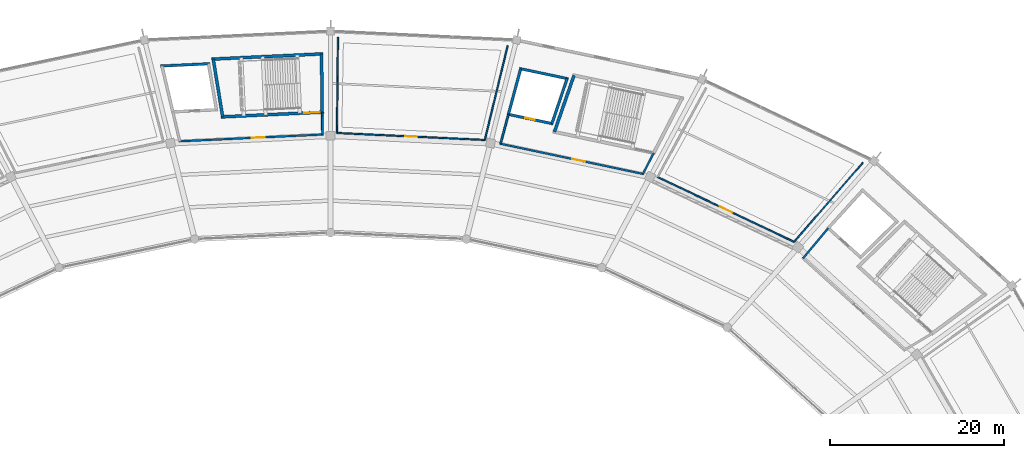
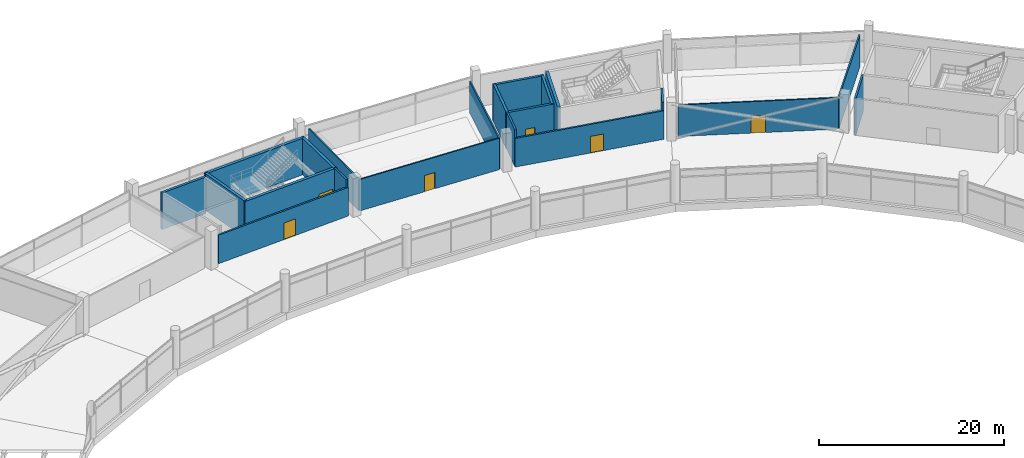
# One storey, part 151 of 184: 21 walls, 6 doors, 6 openings.
"""IFC4 building model written with IfcOpenShell, lengths in metres."""

from ifc_helpers import new_model, si_unit, direction, frame, frame_2d, origin, place, context, subcontext, project, spatial, rectangle, extrude, material, layer, layer_set, type_object, element, fill, save


model = new_model("IFC4")

# Units and contexts
model_context = context("Model", 3, precision=1e-05, world=origin(), true_north=direction((0.0, 1.0)))
body_context = subcontext(model_context, "Body", "Model", "MODEL_VIEW")
ifc_project = project(units=[si_unit("LENGTHUNIT", "METRE"), si_unit("AREAUNIT", "SQUARE_METRE"), si_unit("VOLUMEUNIT", "CUBIC_METRE"), si_unit("PLANEANGLEUNIT", "RADIAN"), si_unit("MASSUNIT", "GRAM", prefix="KILO")], contexts=[model_context])

# Site, building, storey
site_placement = place(None, origin())
site = spatial("IfcSite", under=ifc_project, at=site_placement, CompositionType="ELEMENT")
building_placement = place(site_placement, origin())
building = spatial("IfcBuilding", under=site, at=building_placement, Name="Kazemori Nagisa Stadium", CompositionType="ELEMENT")
storey_placement = place(building_placement, frame((0.0, 0.0, 10.5400390625)))
storey = spatial("IfcBuildingStorey", under=building, at=storey_placement, Name="L02", CompositionType="ELEMENT", Elevation=10.5400390625)

# Wall
ifc_material_1 = material(Name="Concrete C40/50 (Fc42)", Category="concrete")
ifc_layer_1 = layer(ifc_material_1, 0.35009765625, Name="Concrete C40/50 (Fc42)", Category="concrete")
ifc_layer_set_1 = layer_set([ifc_layer_1], Name="Concrete C40/50 (Fc42)")
wall_type_1 = type_object("IfcWallType", Name="Wall_W-CORE-350", PredefinedType="SHEAR", material=ifc_layer_set_1)
wall_1_placement = place(storey_placement, frame((148.787353515625, 176.396240234375, 0.0), z_axis=(0.0, 0.0, 1.0), x_axis=(0.327491724385, 0.944854047173, 0.0)))
element("IfcWall", 1, at=wall_1_placement, inside=storey, type_object=wall_type_1, Name="Core stair right shear wall ST11 L02", PredefinedType="SHEAR", context=body_context, shape_type="SweptSolid", body=[
    extrude(rectangle(XDim=6.88525390625, YDim=0.35009765625, at=frame_2d((3.442626953125, 0.0))), origin(), (0.0, 0.0, 1.0), 4.83984375),
])

# Wall, opening, door
wall_2_placement = place(storey_placement, frame((122.218994140625, 178.675048828125, 0.0), z_axis=(0.0, 0.0, 1.0), x_axis=(-0.998883770468, -0.04723571843, 0.0)))
wall_2 = element("IfcWall", 2, at=wall_2_placement, inside=storey, type_object=wall_type_1, Name="Core stair front shear wall ST05 L02", PredefinedType="SHEAR", context=body_context, shape_type="SweptSolid", body=[
    extrude(rectangle(XDim=11.830810546875, YDim=0.35009765625, at=frame_2d((5.91552734375, 0.0))), origin(), (0.0, 0.0, 1.0), 4.83984375),
])
opening_1_placement = place(wall_2_placement, frame((0.47509765625, 0.0, 0.0)))
opening_1 = element("IfcOpeningElement", 3, at=opening_1_placement, cuts=wall_2, Name="Opening D-ST-1800", PredefinedType="OPENING", context=body_context, shape_type="SweptSolid", body=[
    extrude(rectangle(XDim=1.800048828125, YDim=2.199951171875, at=frame_2d((0.89990234375, 1.10009765625))), frame((0.0, 0.18505859375, 0.0), z_axis=(0.0, -1.0, 0.0), x_axis=(1.0, 0.0, 0.0)), (0.0, 0.0, 1.0), 0.3701171875),
])
ifc_material_2 = material(Name="Galvanised steel sheet", Category="steel")
door_type_1 = type_object("IfcDoorType", Name="Door_D-ST-1800", OperationType="NOTDEFINED", PredefinedType="DOOR", material=ifc_material_2)
door_1_placement = place(opening_1_placement, frame((1.800048828125, 0.0, 0.0), z_axis=(0.0, 0.0, 1.0), x_axis=(-1.0, 0.0, 0.0)))
door_1 = element("IfcDoor", 4, at=door_1_placement, inside=storey, type_object=door_type_1, Name="Exit stair fire door ST05-L02", OperationType="SINGLE_SWING_LEFT", OverallHeight=2.199951171875, OverallWidth=1.800048828125, PredefinedType="DOOR", context=body_context, shape_type="SweptSolid", body=[
    extrude(rectangle(XDim=1.800048828125, YDim=2.199951171875, at=frame_2d((0.89990234375, 1.10009765625))), frame((0.0, 0.02490234375, 0.0), z_axis=(0.0, -1.0, 0.0), x_axis=(1.0, 0.0, 0.0)), (0.0, 0.0, 1.0), 0.050048828125),
])
fill(opening_1, door_1)

# Walls
wall_3_placement = place(storey_placement, frame((122.135498046875, 185.379150390625, 0.0), z_axis=(0.0, 0.0, 1.0), x_axis=(-0.998884004857, -0.047230761603, 0.0)))
element("IfcWall", 5, at=wall_3_placement, inside=storey, type_object=wall_type_1, Name="Core stair rear shear wall ST05 L02", PredefinedType="SHEAR", context=body_context, shape_type="SweptSolid", body=[
    extrude(rectangle(XDim=12.8349609375, YDim=0.35009765625, at=frame_2d((6.41748046875, 0.0))), origin(), (0.0, 0.0, 1.0), 4.83984375),
])
wall_4_placement = place(storey_placement, frame((122.04443359375, 178.666748046875, 0.0), z_axis=(0.0, 0.0, 1.0), x_axis=(-0.012489921532, 0.999921997888, 0.0)))
element("IfcWall", 6, at=wall_4_placement, inside=storey, type_object=wall_type_1, Name="Core stair left shear wall ST05 L02", PredefinedType="SHEAR", context=body_context, shape_type="SweptSolid", body=[
    extrude(rectangle(XDim=6.70458984375, YDim=0.35009765625, at=frame_2d((3.352294921875, 0.0))), origin(), (0.0, 0.0, 1.0), 4.83984375),
])
wall_5_placement = place(storey_placement, frame((110.576171875, 178.12451171875, 0.0), z_axis=(0.0, 0.0, 1.0), x_axis=(-0.161075775241, 0.986942042184, 0.0)))
element("IfcWall", 7, at=wall_5_placement, inside=storey, type_object=wall_type_1, Name="Core stair right shear wall ST05 L02", PredefinedType="SHEAR", context=body_context, shape_type="SweptSolid", body=[
    extrude(rectangle(XDim=6.744873046875, YDim=0.35009765625, at=frame_2d((3.37255859375, 0.0))), origin(), (0.0, 0.0, 1.0), 4.83984375),
])
ifc_material_3 = material(Name="Concrete C36/45 (Fc36)", Category="concrete")
ifc_layer_2 = layer(ifc_material_3, 0.219970703125, Name="Concrete C36/45 (Fc36)", Category="concrete")
ifc_layer_set_2 = layer_set([ifc_layer_2], Name="Concrete C36/45 (Fc36)")
wall_type_2 = type_object("IfcWallType", Name="Wall_W-LOBBY-220", PredefinedType="SOLIDWALL", material=ifc_layer_set_2)
wall_6_placement = place(storey_placement, frame((177.408935546875, 161.823974609375, 0.0), z_axis=(0.0, 0.0, 1.0), x_axis=(0.640759627034, 0.767741558315, 0.0)))
element("IfcWall", 8, at=wall_6_placement, inside=storey, type_object=wall_type_2, Name="Core lobby right wall ST01 L02", PredefinedType="SOLIDWALL", context=body_context, shape_type="SweptSolid", body=[
    extrude(rectangle(XDim=4.549072265625, YDim=0.219970703125, at=frame_2d((2.2744140625, 0.0))), origin(), (0.0, 0.0, 1.0), 4.83984375),
])

# Wall, opening, door
wall_7_placement = place(storey_placement, frame((159.083984375, 171.5322265625, 0.0), z_axis=(0.0, 0.0, 1.0), x_axis=(-0.978342313718, 0.206993519678, 0.0)))
wall_7 = element("IfcWall", 9, at=wall_7_placement, inside=storey, type_object=wall_type_2, Name="Core lobby fire wall ST11 L02", PredefinedType="SOLIDWALL", context=body_context, shape_type="SweptSolid", body=[
    extrude(rectangle(XDim=16.983154296875, YDim=0.219970703125, at=frame_2d((8.49169921875, 0.0))), origin(), (0.0, 0.0, 1.0), 3.787841796875),
])
opening_2_placement = place(wall_7_placement, frame((6.903076171875, 0.0, 0.0)))
opening_2 = element("IfcOpeningElement", 10, at=opening_2_placement, cuts=wall_7, Name="Opening D-FFL-1500", PredefinedType="OPENING", context=body_context, shape_type="SweptSolid", body=[
    extrude(rectangle(XDim=1.5, YDim=2.199951171875, at=frame_2d((0.75, 1.10009765625))), frame((0.0, 0.119873046875, 0.0), z_axis=(0.0, -1.0, 0.0), x_axis=(1.0, 0.0, 0.0)), (0.0, 0.0, 1.0), 0.239990234375),
])
door_type_2 = type_object("IfcDoorType", Name="Door_D-FFL-1500", OperationType="NOTDEFINED", PredefinedType="DOOR", material=ifc_material_2)
door_2_placement = place(opening_2_placement, frame((1.5, 0.0, 0.0), z_axis=(0.0, 0.0, 1.0), x_axis=(-1.0, 0.0, 0.0)))
door_2 = element("IfcDoor", 11, at=door_2_placement, inside=storey, type_object=door_type_2, Name="Protected lobby fire door ST11-L02", OperationType="DOUBLE_DOOR_SINGLE_SWING", OverallHeight=2.199951171875, OverallWidth=1.5, PredefinedType="DOOR", context=body_context, shape_type="SweptSolid", body=[
    extrude(rectangle(XDim=1.5, YDim=2.199951171875, at=frame_2d((0.75, 1.10009765625))), frame((0.0, 0.02490234375, 0.0), z_axis=(0.0, -1.0, 0.0), x_axis=(1.0, 0.0, 0.0)), (0.0, 0.0, 1.0), 0.050048828125),
])
fill(opening_2, door_2)

# Walls
wall_8_placement = place(storey_placement, frame((158.976318359375, 171.55517578125, 0.0), z_axis=(0.0, 0.0, 1.0), x_axis=(0.459461910618, 0.888197473928, 0.0)))
element("IfcWall", 12, at=wall_8_placement, inside=storey, type_object=wall_type_2, Name="Core lobby left wall ST11 L02", PredefinedType="SOLIDWALL", context=body_context, shape_type="SweptSolid", body=[
    extrude(rectangle(XDim=2.725341796875, YDim=0.219970703125, at=frame_2d((1.36279296875, 0.0))), origin(), (0.0, 0.0, 1.0), 4.83984375),
])
wall_9_placement = place(storey_placement, frame((142.576171875, 175.024658203125, 0.0), z_axis=(0.0, 0.0, 1.0), x_axis=(0.258940146037, 0.965893369255, 0.0)))
element("IfcWall", 13, at=wall_9_placement, inside=storey, type_object=wall_type_2, Name="Core lobby right wall ST11 L02", PredefinedType="SOLIDWALL", context=body_context, shape_type="SweptSolid", body=[
    extrude(rectangle(XDim=3.50830078125, YDim=0.219970703125, at=frame_2d((1.754150390625, 0.0))), origin(), (0.0, 0.0, 1.0), 4.83984375),
])

# Wall, opening, door
wall_10_placement = place(storey_placement, frame((122.186279296875, 176.093505859375, 0.0), z_axis=(0.0, 0.0, 1.0), x_axis=(-0.998884242682, -0.047225731555, 0.0)))
wall_10 = element("IfcWall", 14, at=wall_10_placement, inside=storey, type_object=wall_type_2, Name="Core lobby fire wall ST05 L02", PredefinedType="SOLIDWALL", context=body_context, shape_type="SweptSolid", body=[
    extrude(rectangle(XDim=16.67724609375, YDim=0.219970703125, at=frame_2d((8.338623046875, 0.0))), origin(), (0.0, 0.0, 1.0), 3.787841796875),
])
opening_3_placement = place(wall_10_placement, frame((6.76611328125, 0.0, 0.0)))
opening_3 = element("IfcOpeningElement", 15, at=opening_3_placement, cuts=wall_10, Name="Opening D-FFL-1500", PredefinedType="OPENING", context=body_context, shape_type="SweptSolid", body=[
    extrude(rectangle(XDim=1.5, YDim=2.199951171875, at=frame_2d((0.75, 1.10009765625))), frame((0.0, 0.119873046875, 0.0), z_axis=(0.0, -1.0, 0.0), x_axis=(1.0, 0.0, 0.0)), (0.0, 0.0, 1.0), 0.239990234375),
])
door_3_placement = place(opening_3_placement, frame((1.5, 0.0, 0.0), z_axis=(0.0, 0.0, 1.0), x_axis=(-1.0, 0.0, 0.0)))
door_3 = element("IfcDoor", 16, at=door_3_placement, inside=storey, type_object=door_type_2, Name="Protected lobby fire door ST05-L02", OperationType="DOUBLE_DOOR_SINGLE_SWING", OverallHeight=2.199951171875, OverallWidth=1.5, PredefinedType="DOOR", context=body_context, shape_type="SweptSolid", body=[
    extrude(rectangle(XDim=1.5, YDim=2.199951171875, at=frame_2d((0.75, 1.10009765625))), frame((0.0, 0.02490234375, 0.0), z_axis=(0.0, -1.0, 0.0), x_axis=(1.0, 0.0, 0.0)), (0.0, 0.0, 1.0), 0.050048828125),
])
fill(opening_3, door_3)

# Wall
wall_11_placement = place(storey_placement, frame((122.076416015625, 176.08837890625, 0.0), z_axis=(0.0, 0.0, 1.0), x_axis=(-0.012403174243, 0.999923077676, 0.0)))
element("IfcWall", 17, at=wall_11_placement, inside=storey, type_object=wall_type_2, Name="Core lobby left wall ST05 L02", PredefinedType="SOLIDWALL", context=body_context, shape_type="SweptSolid", body=[
    extrude(rectangle(XDim=2.57861328125, YDim=0.219970703125, at=frame_2d((1.289306640625, 0.0))), origin(), (0.0, 0.0, 1.0), 4.83984375),
])

# Wall, opening, door
ifc_material_4 = material(Name="Gypsum plasterboard", Category="gypsum")
ifc_layer_3 = layer(ifc_material_4, 0.1650390625, Name="Gypsum plasterboard", Category="gypsum")
ifc_layer_set_3 = layer_set([ifc_layer_3], Name="Gypsum plasterboard")
wall_type_3 = type_object("IfcWallType", Name="Wall_W-PART-165", PredefinedType="PARTITIONING", material=ifc_layer_set_3)
wall_12_placement = place(storey_placement, frame((176.400634765625, 163.719970703125, 0.0), z_axis=(0.0, 0.0, 1.0), x_axis=(-0.903217202186, 0.429183743488, 0.0)))
wall_12 = element("IfcWall", 18, at=wall_12_placement, inside=storey, type_object=wall_type_3, Name="Room corridor partition L02-B05", PredefinedType="PARTITIONING", context=body_context, shape_type="SweptSolid", body=[
    extrude(rectangle(XDim=17.419189453125, YDim=0.1650390625, at=frame_2d((8.70947265625, 0.0))), origin(), (0.0, 0.0, 1.0), 4.159912109375),
])
opening_4_placement = place(wall_12_placement, frame((7.909912109375, 0.0, 0.0)))
opening_4 = element("IfcOpeningElement", 19, at=opening_4_placement, cuts=wall_12, Name="Opening D-LNG-1600", PredefinedType="OPENING", context=body_context, shape_type="SweptSolid", body=[
    extrude(rectangle(XDim=1.60009765625, YDim=2.300048828125, at=frame_2d((0.800048828125, 1.14990234375))), frame((0.0, 0.092529296875, 0.0), z_axis=(0.0, -1.0, 0.0), x_axis=(1.0, 0.0, 0.0)), (0.0, 0.0, 1.0), 0.18505859375),
])
ifc_material_5 = material(Name="Anodised aluminium 6063-T5", Category="aluminium")
door_type_3 = type_object("IfcDoorType", Name="Door_D-LNG-1600", OperationType="NOTDEFINED", PredefinedType="DOOR", material=ifc_material_5)
door_4_placement = place(opening_4_placement, origin())
door_4 = element("IfcDoor", 20, at=door_4_placement, inside=storey, type_object=door_type_3, Name="Room entrance door D-LNG-1600 L02-B05", OperationType="DOUBLE_DOOR_SINGLE_SWING", OverallHeight=2.300048828125, OverallWidth=1.60009765625, PredefinedType="DOOR", context=body_context, shape_type="SweptSolid", body=[
    extrude(rectangle(XDim=1.60009765625, YDim=2.300048828125, at=frame_2d((0.800048828125, 1.14990234375))), frame((0.0, 0.02490234375, 0.0), z_axis=(0.0, -1.0, 0.0), x_axis=(1.0, 0.0, 0.0)), (0.0, 0.0, 1.0), 0.050048828125),
])
fill(opening_4, door_4)

# Wall
wall_13_placement = place(storey_placement, frame((176.400634765625, 163.719970703125, 0.0), z_axis=(0.0, 0.0, 1.0), x_axis=(0.654293035882, 0.756241114458, 0.0)))
element("IfcWall", 21, at=wall_13_placement, inside=storey, type_object=wall_type_3, Name="Room radial partition L02-B05-L", PredefinedType="PARTITIONING", context=body_context, shape_type="SweptSolid", body=[
    extrude(rectangle(XDim=12.091064453125, YDim=0.1650390625, at=frame_2d((6.04541015625, 0.0))), origin(), (0.0, 0.0, 1.0), 4.159912109375),
])

# Wall, opening, door
wall_14_placement = place(storey_placement, frame((140.77294921875, 175.463623046875, 0.0), z_axis=(0.0, 0.0, 1.0), x_axis=(-0.998883826153, 0.047234540851, 0.0)))
wall_14 = element("IfcWall", 22, at=wall_14_placement, inside=storey, type_object=wall_type_3, Name="Room corridor partition L02-B07", PredefinedType="PARTITIONING", context=body_context, shape_type="SweptSolid", body=[
    extrude(rectangle(XDim=17.051513671875, YDim=0.1650390625, at=frame_2d((8.52587890625, 0.0))), origin(), (0.0, 0.0, 1.0), 4.159912109375),
])
opening_5_placement = place(wall_14_placement, frame((7.8759765625, 0.0, 0.0)))
opening_5 = element("IfcOpeningElement", 23, at=opening_5_placement, cuts=wall_14, Name="Opening D-KIT-1300", PredefinedType="OPENING", context=body_context, shape_type="SweptSolid", body=[
    extrude(rectangle(XDim=1.300048828125, YDim=2.14990234375, at=frame_2d((0.64990234375, 1.074951171875))), frame((0.0, 0.092529296875, 0.0), z_axis=(0.0, -1.0, 0.0), x_axis=(1.0, 0.0, 0.0)), (0.0, 0.0, 1.0), 0.18505859375),
])
ifc_material_6 = material(Name="Stainless steel SUS304", Category="steel")
door_type_4 = type_object("IfcDoorType", Name="Door_D-KIT-1300", OperationType="NOTDEFINED", PredefinedType="DOOR", material=ifc_material_6)
door_5_placement = place(opening_5_placement, origin())
door_5 = element("IfcDoor", 24, at=door_5_placement, inside=storey, type_object=door_type_4, Name="Room entrance door D-KIT-1300 L02-B07", OperationType="SINGLE_SWING_RIGHT", OverallHeight=2.14990234375, OverallWidth=1.300048828125, PredefinedType="DOOR", context=body_context, shape_type="SweptSolid", body=[
    extrude(rectangle(XDim=1.300048828125, YDim=2.14990234375, at=frame_2d((0.64990234375, 1.074951171875))), frame((0.0, 0.02490234375, 0.0), z_axis=(0.0, -1.0, 0.0), x_axis=(1.0, 0.0, 0.0)), (0.0, 0.0, 1.0), 0.050048828125),
])
fill(opening_5, door_5)

# Walls
wall_15_placement = place(storey_placement, frame((140.77294921875, 175.463623046875, 0.0), z_axis=(0.0, 0.0, 1.0), x_axis=(0.235146333041, 0.971959979658, 0.0)))
element("IfcWall", 25, at=wall_15_placement, inside=storey, type_object=wall_type_3, Name="Room radial partition L02-B07-L", PredefinedType="PARTITIONING", context=body_context, shape_type="SweptSolid", body=[
    extrude(rectangle(XDim=11.197509765625, YDim=0.1650390625, at=frame_2d((5.5986328125, 0.0))), origin(), (0.0, 0.0, 1.0), 4.159912109375),
])
wall_16_placement = place(storey_placement, frame((123.740478515625, 176.26904296875, 0.0), z_axis=(0.0, 0.0, 1.0), x_axis=(0.00998463551, 0.999950152284, 0.0)))
element("IfcWall", 26, at=wall_16_placement, inside=storey, type_object=wall_type_3, Name="Room radial partition L02-B07-R", PredefinedType="PARTITIONING", context=body_context, shape_type="SweptSolid", body=[
    extrude(rectangle(XDim=11.003173828125, YDim=0.1650390625, at=frame_2d((5.50146484375, 0.0))), origin(), (0.0, 0.0, 1.0), 4.159912109375),
])

# Wall, opening, door
ifc_layer_4 = layer(ifc_material_1, 0.300048828125, Name="Concrete C40/50 (Fc42)", Category="concrete")
ifc_layer_set_4 = layer_set([ifc_layer_4], Name="Concrete C40/50 (Fc42)")
wall_type_4 = type_object("IfcWallType", Name="Wall_W-SHAFT-300", PredefinedType="SHEAR", material=ifc_layer_set_4)
wall_17_placement = place(storey_placement, frame((148.644775390625, 177.32177734375, 0.0), z_axis=(0.0, 0.0, 1.0), x_axis=(-0.978351630878, 0.206949477793, 0.0)))
wall_17 = element("IfcWall", 27, at=wall_17_placement, inside=storey, type_object=wall_type_4, Name="Lift shaft front wall LP3 L02", PredefinedType="SHEAR", context=body_context, shape_type="SweptSolid", body=[
    extrude(rectangle(XDim=5.42431640625, YDim=0.300048828125, at=frame_2d((2.712158203125, 0.0))), origin(), (0.0, 0.0, 1.0), 4.83984375),
])
opening_6_placement = place(wall_17_placement, frame((2.162109375, 0.0, 0.0)))
opening_6 = element("IfcOpeningElement", 28, at=opening_6_placement, cuts=wall_17, Name="Opening LD-PAX", PredefinedType="OPENING", context=body_context, shape_type="SweptSolid", body=[
    extrude(rectangle(XDim=1.10009765625, YDim=2.199951171875, at=frame_2d((0.550048828125, 1.10009765625))), frame((0.0, 0.159912109375, 0.0), z_axis=(0.0, -1.0, 0.0), x_axis=(1.0, 0.0, 0.0)), (0.0, 0.0, 1.0), 0.320068359375),
])
door_type_5 = type_object("IfcDoorType", Name="Door_LD-PAX", OperationType="SLIDING_TO_RIGHT", PredefinedType="DOOR", material=ifc_material_6)
door_6_placement = place(opening_6_placement, origin())
door_6 = element("IfcDoor", 29, at=door_6_placement, inside=storey, type_object=door_type_5, Name="Lift landing door LP3-L02", OperationType="SLIDING_TO_RIGHT", OverallHeight=2.199951171875, OverallWidth=1.10009765625, PredefinedType="DOOR", context=body_context, shape_type="SweptSolid", body=[
    extrude(rectangle(XDim=1.10009765625, YDim=2.199951171875, at=frame_2d((0.550048828125, 1.10009765625))), frame((0.0, 0.02490234375, 0.0), z_axis=(0.0, -1.0, 0.0), x_axis=(1.0, 0.0, 0.0)), (0.0, 0.0, 1.0), 0.050048828125),
])
fill(opening_6, door_6)

# Walls
wall_18_placement = place(storey_placement, frame((150.3974609375, 182.501220703125, 0.0), z_axis=(0.0, 0.0, 1.0), x_axis=(-0.978347069901, 0.206971038591, 0.0)))
element("IfcWall", 30, at=wall_18_placement, inside=storey, type_object=wall_type_4, Name="Lift shaft B wall LP3 L02", PredefinedType="SHEAR", context=body_context, shape_type="SweptSolid", body=[
    extrude(rectangle(XDim=5.7763671875, YDim=0.300048828125, at=frame_2d((2.88818359375, 0.0))), origin(), (0.0, 0.0, 1.0), 4.83984375),
])
wall_19_placement = place(storey_placement, frame((148.498046875, 177.352783203125, 0.0), z_axis=(0.0, 0.0, 1.0), x_axis=(0.320537624185, 0.947235784523, 0.0)))
element("IfcWall", 31, at=wall_19_placement, inside=storey, type_object=wall_type_4, Name="Lift shaft L wall LP3 L02", PredefinedType="SHEAR", context=body_context, shape_type="SweptSolid", body=[
    extrude(rectangle(XDim=5.468017578125, YDim=0.300048828125, at=frame_2d((2.73388671875, 0.0))), origin(), (0.0, 0.0, 1.0), 4.83984375),
])
wall_20_placement = place(storey_placement, frame((143.484619140625, 178.413330078125, 0.0), z_axis=(0.0, 0.0, 1.0), x_axis=(0.258958994481, 0.965888316099, 0.0)))
element("IfcWall", 32, at=wall_20_placement, inside=storey, type_object=wall_type_4, Name="Lift shaft R wall LP3 L02", PredefinedType="SHEAR", context=body_context, shape_type="SweptSolid", body=[
    extrude(rectangle(XDim=5.43798828125, YDim=0.300048828125, at=frame_2d((2.718994140625, 0.0))), origin(), (0.0, 0.0, 1.0), 4.83984375),
])
wall_21_placement = place(storey_placement, frame((109.103515625, 184.246826171875, 0.0), z_axis=(0.0, 0.0, 1.0), x_axis=(-0.998884329444, -0.047223896393, 0.0)))
element("IfcWall", 33, at=wall_21_placement, inside=storey, type_object=wall_type_4, Name="Lift shaft B wall LP1 L02", PredefinedType="SHEAR", context=body_context, shape_type="SweptSolid", body=[
    extrude(rectangle(XDim=5.676513671875, YDim=0.300048828125, at=frame_2d((2.83837890625, 0.0))), origin(), (0.0, 0.0, 1.0), 4.83984375),
])

save(model, "model.ifc")
